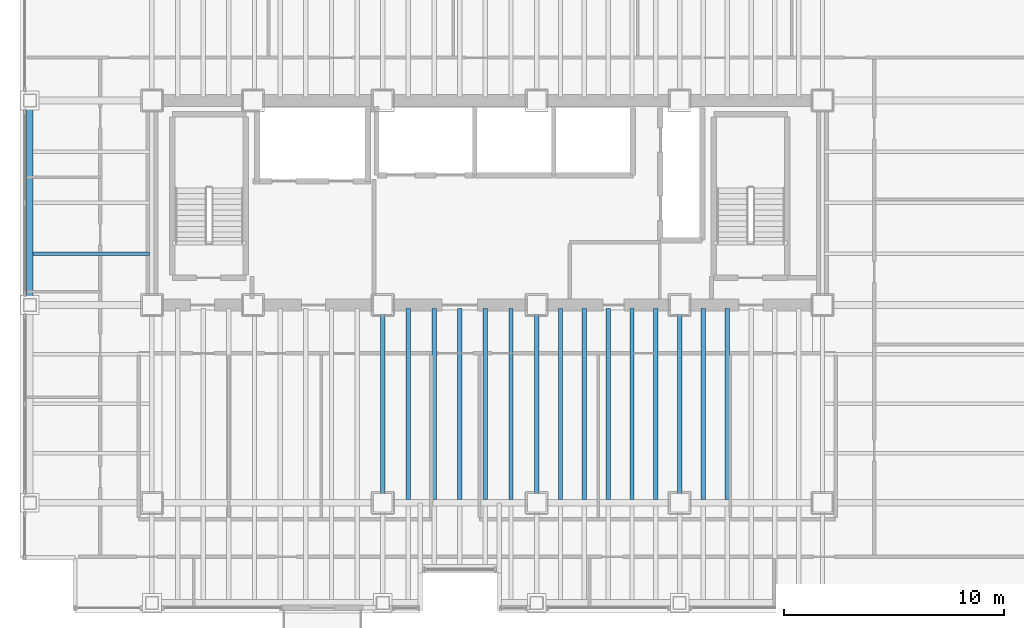
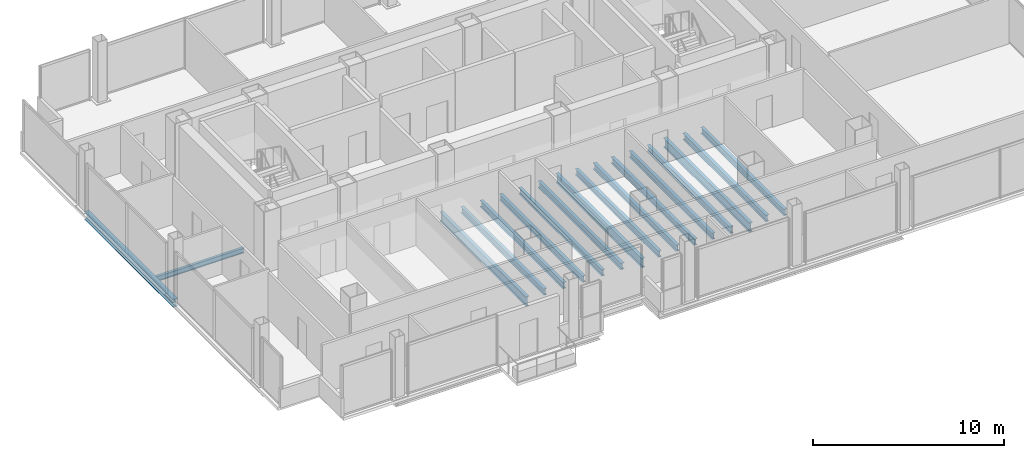
# One storey, part 5 of 20: 17 beams.
"""IFC4 building model written with IfcOpenShell, lengths in metres."""

from ifc_helpers import new_model, si_unit, direction, frame, origin, origin_2d, place, context, subcontext, project, spatial, i_section, extrude, material, material_profile, profile_set, type_object, element, save


model = new_model("IFC4")

# Units and contexts
model_context = context("Model", 3, precision=1e-05, world=origin(), true_north=direction((0.0, 1.0)))
body_context = subcontext(model_context, "Body", "Model", "MODEL_VIEW")
ifc_project = project(units=[si_unit("LENGTHUNIT", "METRE"), si_unit("AREAUNIT", "SQUARE_METRE"), si_unit("VOLUMEUNIT", "CUBIC_METRE"), si_unit("PLANEANGLEUNIT", "RADIAN"), si_unit("MASSUNIT", "GRAM", prefix="KILO")], contexts=[model_context])

# Site, building, storey
site_placement = place(None, origin())
site = spatial("IfcSite", under=ifc_project, at=site_placement, CompositionType="ELEMENT")
building_placement = place(site_placement, origin())
building = spatial("IfcBuilding", under=site, at=building_placement, Name="Noeulbin Bourse Tower", CompositionType="ELEMENT")
storey_placement = place(building_placement, frame((0.0, 0.0, 57.699951171875)))
storey = spatial("IfcBuildingStorey", under=building, at=storey_placement, Name="L14", CompositionType="ELEMENT", Elevation=57.699951171875)

# Beams
ifc_material = material(Name="Steel S355", Category="steel")
ifc_material_profile_1 = material_profile(ifc_material, i_section(OverallWidth=0.199951171875, OverallDepth=0.60009765625, WebThickness=0.010986328125, FlangeThickness=0.01708984375, FilletRadius=0.02197265625, at=origin_2d()), Name="H-600x200x11x17", Category="LoadBearing")
ifc_profile_set_1 = profile_set([ifc_material_profile_1], Name="Steel S355")
beam_type_1 = type_object("IfcBeamType", Name="BM-GRD-600", PredefinedType="USERDEFINED", material=ifc_profile_set_1)
for number, where, z_axis, x_axis, name in (
    (1, (24.0, 20.0, -0.47998046875), (0.0, 1.0, 0.0), (-1.0, 0.0, 0.0), "Tower Primary Girder NS L14-2.2"),
    (2, (31.0, 20.0, -0.47998046875), (0.0, 1.0, 0.0), (-1.0, 0.0, 0.0), "Tower Primary Girder NS L14-3.2"),
    (3, (37.5, 20.0, -0.47998046875), (0.0, 1.0, 0.0), (-1.0, 0.0, 0.0), "Tower Primary Girder NS L14-4.2"),
):
    element("IfcBeam", number, at=place(storey_placement, frame(where, z_axis=z_axis, x_axis=x_axis)), inside=storey, type_object=beam_type_1, Name=name, ObjectType="GIRDER", PredefinedType="USERDEFINED", context=body_context, shape_type="SweptSolid", body=[
        extrude(i_section(OverallWidth=0.199951171875, OverallDepth=0.60009765625, WebThickness=0.010986328125, FlangeThickness=0.01708984375, FilletRadius=0.02197265625, at=origin_2d()), origin(), (0.0, 0.0, 1.0), 9.0),
    ])
ifc_material_profile_2 = material_profile(ifc_material, i_section(OverallWidth=0.159912109375, OverallDepth=0.320068359375, WebThickness=0.006591796875, FlangeThickness=0.010009765625, FilletRadius=0.012939453125, at=origin_2d()), Name="H-320x160x6.5x10", Category="LoadBearing")
ifc_profile_set_2 = profile_set([ifc_material_profile_2], Name="Steel S355")
beam_type_2 = type_object("IfcBeamType", Name="BM-JST-320", PredefinedType="JOIST", material=ifc_profile_set_2)
beam_1_placement = place(storey_placement, frame((8.10009765625, 31.324951171875, -0.33984375), z_axis=(1.0, 0.0, 0.0), x_axis=(0.0, 1.0, 0.0)))
element("IfcBeam", 4, at=beam_1_placement, inside=storey, type_object=beam_type_2, Name="Wing Composite Joist L14-W73", PredefinedType="JOIST", context=body_context, shape_type="SweptSolid", body=[
    extrude(i_section(OverallWidth=0.159912109375, OverallDepth=0.320068359375, WebThickness=0.006591796875, FlangeThickness=0.010009765625, FilletRadius=0.012939453125, at=origin_2d()), origin(), (0.0, 0.0, 1.0), 5.2998046875),
])
ifc_material_profile_3 = material_profile(ifc_material, i_section(OverallWidth=0.199951171875, OverallDepth=0.39990234375, WebThickness=0.008056640625, FlangeThickness=0.012939453125, FilletRadius=0.01611328125, at=origin_2d()), Name="H-400x200x8x13", Category="LoadBearing")
ifc_profile_set_3 = profile_set([ifc_material_profile_3], Name="Steel S355")
beam_type_3 = type_object("IfcBeamType", Name="BM-SEC-400", PredefinedType="BEAM", material=ifc_profile_set_3)
for number, where, z_axis, x_axis, name in (
    (5, (25.166748046875, 20.14990234375, -0.3798828125), (0.0, 1.0, 0.0), (-1.0, 0.0, 0.0), "Tower Composite Joist L14-26"),
    (6, (26.333251953125, 20.14990234375, -0.3798828125), (0.0, 1.0, 0.0), (-1.0, 0.0, 0.0), "Tower Composite Joist L14-29"),
    (7, (27.5, 20.14990234375, -0.3798828125), (0.0, 1.0, 0.0), (-1.0, 0.0, 0.0), "Tower Composite Joist L14-32"),
    (8, (28.666748046875, 20.14990234375, -0.3798828125), (0.0, 1.0, 0.0), (-1.0, 0.0, 0.0), "Tower Composite Joist L14-35"),
    (9, (29.833251953125, 20.14990234375, -0.3798828125), (0.0, 1.0, 0.0), (-1.0, 0.0, 0.0), "Tower Composite Joist L14-38"),
    (10, (32.083251953125, 20.14990234375, -0.3798828125), (0.0, 1.0, 0.0), (-1.0, 0.0, 0.0), "Tower Composite Joist L14-41"),
    (11, (33.166748046875, 20.14990234375, -0.3798828125), (0.0, 1.0, 0.0), (-1.0, 0.0, 0.0), "Tower Composite Joist L14-44"),
    (12, (34.25, 20.14990234375, -0.3798828125), (0.0, 1.0, 0.0), (-1.0, 0.0, 0.0), "Tower Composite Joist L14-47"),
    (13, (35.333251953125, 20.14990234375, -0.3798828125), (0.0, 1.0, 0.0), (-1.0, 0.0, 0.0), "Tower Composite Joist L14-50"),
    (14, (36.416748046875, 20.14990234375, -0.3798828125), (0.0, 1.0, 0.0), (-1.0, 0.0, 0.0), "Tower Composite Joist L14-53"),
    (15, (38.583251953125, 20.14990234375, -0.3798828125), (0.0, 1.0, 0.0), (-1.0, 0.0, 0.0), "Tower Composite Joist L14-56"),
    (16, (39.666748046875, 20.14990234375, -0.3798828125), (0.0, 1.0, 0.0), (-1.0, 0.0, 0.0), "Tower Composite Joist L14-59"),
):
    element("IfcBeam", number, at=place(storey_placement, frame(where, z_axis=z_axis, x_axis=x_axis)), inside=storey, type_object=beam_type_3, Name=name, PredefinedType="BEAM", context=body_context, shape_type="SweptSolid", body=[
        extrude(i_section(OverallWidth=0.199951171875, OverallDepth=0.39990234375, WebThickness=0.008056640625, FlangeThickness=0.012939453125, FilletRadius=0.01611328125, at=origin_2d()), origin(), (0.0, 0.0, 1.0), 8.7001953125),
    ])
ifc_material_profile_4 = material_profile(ifc_material, i_section(OverallWidth=0.300048828125, OverallDepth=0.488037109375, WebThickness=0.010986328125, FlangeThickness=0.01806640625, FilletRadius=0.02197265625, at=origin_2d()), Name="H-488x300x11x18", Category="LoadBearing")
ifc_profile_set_4 = profile_set([ifc_material_profile_4], Name="Steel S355")
beam_type_4 = type_object("IfcBeamType", Name="BM-SPN-488", PredefinedType="SPANDREL", material=ifc_profile_set_4)
beam_2_placement = place(storey_placement, frame((7.949951171875, 29.0, -0.424072265625), z_axis=(0.0, 1.0, 0.0), x_axis=(-1.0, 0.0, 0.0)))
element("IfcBeam", 17, at=beam_2_placement, inside=storey, type_object=beam_type_4, Name="West Spandrel L14-2", PredefinedType="SPANDREL", context=body_context, shape_type="SweptSolid", body=[
    extrude(i_section(OverallWidth=0.300048828125, OverallDepth=0.488037109375, WebThickness=0.010986328125, FlangeThickness=0.01806640625, FilletRadius=0.02197265625, at=origin_2d()), origin(), (0.0, 0.0, 1.0), 9.300048828125),
])

save(model, "model.ifc")
